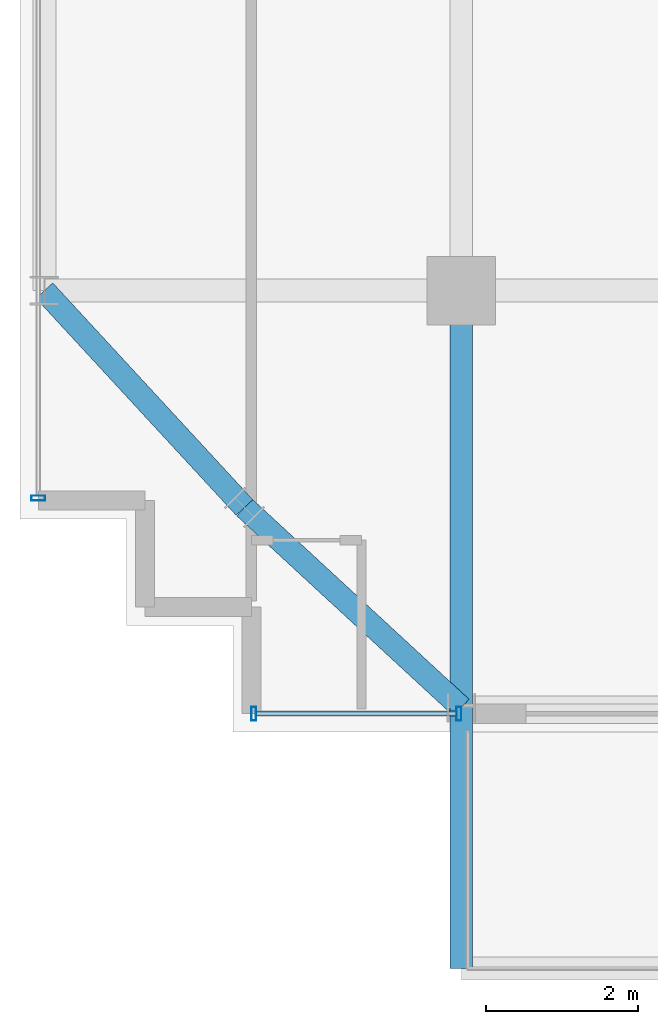
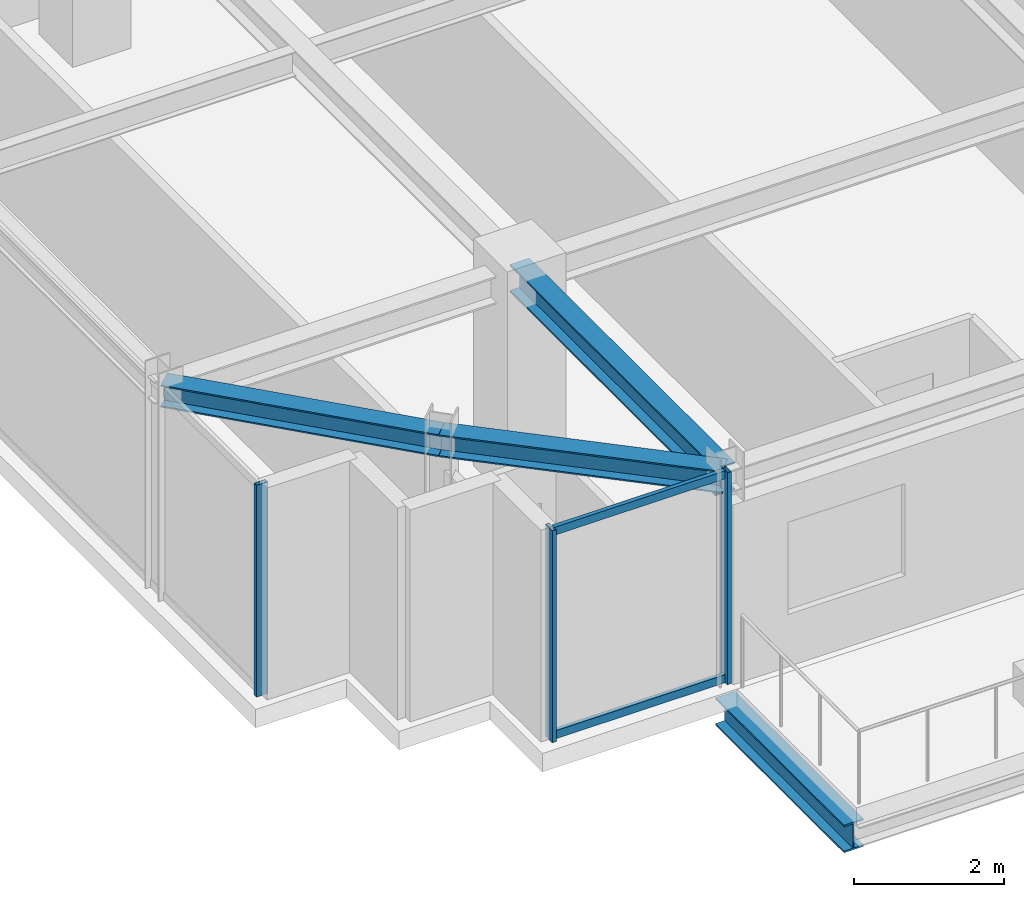
# One storey, part 4 of 33: 5 members, 4 beams, 2 elements without a shape of their own.
"""IFC4 building model written with IfcOpenShell, lengths in metres."""

from ifc_helpers import new_model, si_unit, direction, frame, origin, origin_2d, place, context, subcontext, project, spatial, hollow_rectangle, i_section, extrude, source, transform, mapped, material, material_profile, profile_set, type_object, element, aggregate, save


model = new_model("IFC4")

# Units and contexts
model_context = context("Model", 3, precision=1e-05, world=origin(), true_north=direction((0.0, 1.0)))
body_context = subcontext(model_context, "Body", "Model", "MODEL_VIEW")
ifc_project = project(units=[si_unit("LENGTHUNIT", "METRE"), si_unit("AREAUNIT", "SQUARE_METRE"), si_unit("VOLUMEUNIT", "CUBIC_METRE"), si_unit("PLANEANGLEUNIT", "RADIAN"), si_unit("MASSUNIT", "GRAM", prefix="KILO")], contexts=[model_context])

# Site, building, storey
site_placement = place(None, origin())
site = spatial("IfcSite", under=ifc_project, at=site_placement, CompositionType="ELEMENT")
building_placement = place(site_placement, origin())
building = spatial("IfcBuilding", under=site, at=building_placement, Name="Nahalor Promenade Grand Hotel", CompositionType="ELEMENT")
storey_placement = place(building_placement, frame((0.0, 0.0, 270.050048828125)))
storey = spatial("IfcBuildingStorey", under=building, at=storey_placement, Name="L69", CompositionType="ELEMENT", Elevation=270.050048828125)

# Beams
ifc_material_1 = material(Name="Steel S355JR", Category="steel")
ifc_material_profile_1 = material_profile(ifc_material_1, i_section(OverallWidth=0.3, OverallDepth=0.45, WebThickness=0.014, FlangeThickness=0.026, at=origin_2d()), Name="HEB 450")
ifc_profile_set_1 = profile_set([ifc_material_profile_1], Name="Steel S355JR")
beam_type_1 = type_object("IfcBeamType", Name="Beam-Outrigger-HEB450", PredefinedType="BEAM", material=ifc_profile_set_1)
shared_shape_1 = source(origin(), body_context, "Body", "SweptSolid", [
    extrude(i_section(OverallWidth=0.3, OverallDepth=0.45, WebThickness=0.014, FlangeThickness=0.026, at=origin_2d()), origin(), (0.0, 0.0, 1.0), 3.429931640625),
])
beam_1_placement = place(storey_placement, frame((-17.0, -25.909912109375, -0.505126953125), z_axis=(0.0, 1.0, 0.0), x_axis=(-1.0, 0.0, 0.0)))
element("IfcBeam", 1, at=beam_1_placement, inside=storey, type_object=beam_type_1, Name="BM-L69-BC-01-1", PredefinedType="BEAM", context=body_context, shape_type="MappedRepresentation", body=[
    mapped(shared_shape_1, transform((0.0, 0.0, 0.0), scale=1.0)),
])
ifc_material_profile_2 = material_profile(ifc_material_1, i_section(OverallWidth=0.3, OverallDepth=0.45, WebThickness=0.014, FlangeThickness=0.026, at=origin_2d()), Name="HEB 450")
ifc_profile_set_2 = profile_set([ifc_material_profile_2], Name="Steel S355JR")
beam_type_2 = type_object("IfcBeamType", Name="Beam-Girder-HEB450", PredefinedType="BEAM", material=ifc_profile_set_2)
shared_shape_2 = source(origin(), body_context, "Body", "SweptSolid", [
    extrude(i_section(OverallWidth=0.3, OverallDepth=0.45, WebThickness=0.014, FlangeThickness=0.026, at=origin_2d()), origin(), (0.0, 0.0, 1.0), 5.47998046875),
])
beam_2_placement = place(storey_placement, frame((-17.0, -22.47998046875, 3.224853515625), z_axis=(0.0, 1.0, 0.0), x_axis=(-1.0, 0.0, 0.0)))
element("IfcBeam", 2, at=beam_2_placement, inside=storey, type_object=beam_type_2, Name="BM-L69-GY-0-0", PredefinedType="BEAM", context=body_context, shape_type="MappedRepresentation", body=[
    mapped(shared_shape_2, transform((0.0, 0.0, 0.0), scale=1.0)),
])
ifc_material_profile_3 = material_profile(ifc_material_1, i_section(OverallWidth=0.3, OverallDepth=0.36, WebThickness=0.0125, FlangeThickness=0.0225, at=origin_2d()), Name="HEB 360")
ifc_profile_set_3 = profile_set([ifc_material_profile_3], Name="Steel S355JR")
beam_type_3 = type_object("IfcBeamType", Name="Beam-Spandrel-HEB360", PredefinedType="SPANDREL", material=ifc_profile_set_3)
shared_shape_3 = source(origin(), body_context, "Body", "SweptSolid", [
    extrude(i_section(OverallWidth=0.3, OverallDepth=0.36, WebThickness=0.0125, FlangeThickness=0.0225, at=origin_2d()), origin(), (0.0, 0.0, 1.0), 3.878173828125),
])
for number, where, z_axis, x_axis, name in (
    (3, (-17.0, -22.47998046875, 3.27001953125), (-0.73492893846, 0.678144125843, 0.0), (-0.678144125843, -0.73492893846, 0.0), "BM-L69-SPC-SW-1"),
    (4, (-19.85009765625, -19.85009765625, 3.27001953125), (-0.678144125843, 0.73492893846, 0.0), (-0.73492893846, -0.678144125843, 0.0), "BM-L69-SPC-SW-2"),
):
    element("IfcBeam", number, at=place(storey_placement, frame(where, z_axis=z_axis, x_axis=x_axis)), inside=storey, type_object=beam_type_3, Name=name, PredefinedType="SPANDREL", context=body_context, shape_type="MappedRepresentation", body=[
        mapped(shared_shape_3, transform((0.0, 0.0, 0.0), scale=1.0)),
    ])

# Curtain wall, members
ifc_material_2 = material(Name="Anodised Bronze Aluminium EN AW-6063 T6", Category="aluminium")
curtain_wall_type = type_object("IfcCurtainWallType", Name="CW2 Typical Hotel Flush Bronze Unitised Curtain Wall", PredefinedType="USERDEFINED", material=ifc_material_2)
curtain_wall_1_placement = place(storey_placement, origin())
curtain_wall_1 = element("IfcCurtainWall", 5, at=curtain_wall_1_placement, inside=storey, type_object=curtain_wall_type, Name="L69 Curtain Wall CW-L69-S-1", ObjectType="UNITISED_CURTAIN_WALL", PredefinedType="USERDEFINED")
ifc_material_profile_4 = material_profile(ifc_material_2, hollow_rectangle(XDim=0.065, YDim=0.13, WallThickness=0.004, at=origin_2d()), Name="CWT 65x130x4")
ifc_profile_set_4 = profile_set([ifc_material_profile_4], Name="Anodised Bronze Aluminium EN AW-6063 T6")
member_type_1 = type_object("IfcMemberType", Name="CWT2 Typical Bronze Transom 65x130", PredefinedType="USERDEFINED", material=ifc_profile_set_4)
shared_shape_4 = source(origin(), body_context, "Body", "SweptSolid", [
    extrude(hollow_rectangle(XDim=0.065, YDim=0.13, WallThickness=0.004, at=origin_2d()), origin(), (0.0, 0.0, 1.0), 2.630126953125),
])
member_1_placement = place(storey_placement, frame((-19.695068359375, -22.56005859375, 0.06494140625), z_axis=(1.0, 0.0, 0.0), x_axis=(0.0, 1.0, 0.0)))
member_1 = element("IfcMember", 6, at=member_1_placement, type_object=member_type_1, Name="CW-L69-S-1 Transom 0-0", ObjectType="TRANSOM", PredefinedType="USERDEFINED", context=body_context, shape_type="MappedRepresentation", body=[
    mapped(shared_shape_4, transform((0.0, 0.0, 0.0), scale=1.0)),
])
member_2_placement = place(storey_placement, frame((-19.695068359375, -22.56005859375, 3.385009765625), z_axis=(1.0, 0.0, 0.0), x_axis=(0.0, 1.0, 0.0)))
member_2 = element("IfcMember", 7, at=member_2_placement, type_object=member_type_1, Name="CW-L69-S-1 Transom 0-1", ObjectType="TRANSOM", PredefinedType="USERDEFINED", context=body_context, shape_type="MappedRepresentation", body=[
    mapped(shared_shape_4, transform((0.0, 0.0, 0.0), scale=1.0)),
])
ifc_material_profile_5 = material_profile(ifc_material_2, hollow_rectangle(XDim=0.065, YDim=0.18, WallThickness=0.004, at=origin_2d()), Name="CWM 65x180x4")
ifc_profile_set_5 = profile_set([ifc_material_profile_5], Name="Anodised Bronze Aluminium EN AW-6063 T6")
member_type_2 = type_object("IfcMemberType", Name="CWM2 Typical Bronze Mullion 65x180", PredefinedType="MULLION", material=ifc_profile_set_5)
shared_shape_5 = source(origin(), body_context, "Body", "SweptSolid", [
    extrude(hollow_rectangle(XDim=0.065, YDim=0.18, WallThickness=0.004, at=origin_2d()), origin(), (0.0, 0.0, 1.0), 3.449951171875),
])
member_3_placement = place(storey_placement, frame((-19.7275390625, -22.56005859375, 0.0), z_axis=(0.0, 0.0, 1.0), x_axis=(1.0, 0.0, 0.0)))
member_3 = element("IfcMember", 8, at=member_3_placement, type_object=member_type_2, Name="CW-L69-S-1 Mullion 0", PredefinedType="MULLION", context=body_context, shape_type="MappedRepresentation", body=[
    mapped(shared_shape_5, transform((0.0, 0.0, 0.0), scale=1.0)),
])
member_4_placement = place(storey_placement, frame((-17.032470703125, -22.56005859375, 0.0), z_axis=(0.0, 0.0, 1.0), x_axis=(1.0, 0.0, 0.0)))
member_4 = element("IfcMember", 9, at=member_4_placement, type_object=member_type_2, Name="CW-L69-S-1 Mullion 1", PredefinedType="MULLION", context=body_context, shape_type="MappedRepresentation", body=[
    mapped(shared_shape_5, transform((0.0, 0.0, 0.0), scale=1.0)),
])
aggregate(curtain_wall_1, [member_3, member_4, member_1, member_2])

# Curtain wall, member
curtain_wall_2_placement = place(storey_placement, origin())
curtain_wall_2 = element("IfcCurtainWall", 10, at=curtain_wall_2_placement, inside=storey, type_object=curtain_wall_type, Name="L69 Curtain Wall CW-L69-W-1", ObjectType="UNITISED_CURTAIN_WALL", PredefinedType="USERDEFINED")
member_5_placement = place(storey_placement, frame((-22.56005859375, -19.7275390625, 0.0), z_axis=(0.0, 0.0, 1.0), x_axis=(0.0, 1.0, 0.0)))
member_5 = element("IfcMember", 11, at=member_5_placement, type_object=member_type_2, Name="CW-L69-W-1 Mullion 0", PredefinedType="MULLION", context=body_context, shape_type="MappedRepresentation", body=[
    mapped(shared_shape_5, transform((0.0, 0.0, 0.0), scale=1.0)),
])
aggregate(curtain_wall_2, [member_5])

save(model, "model.ifc")
